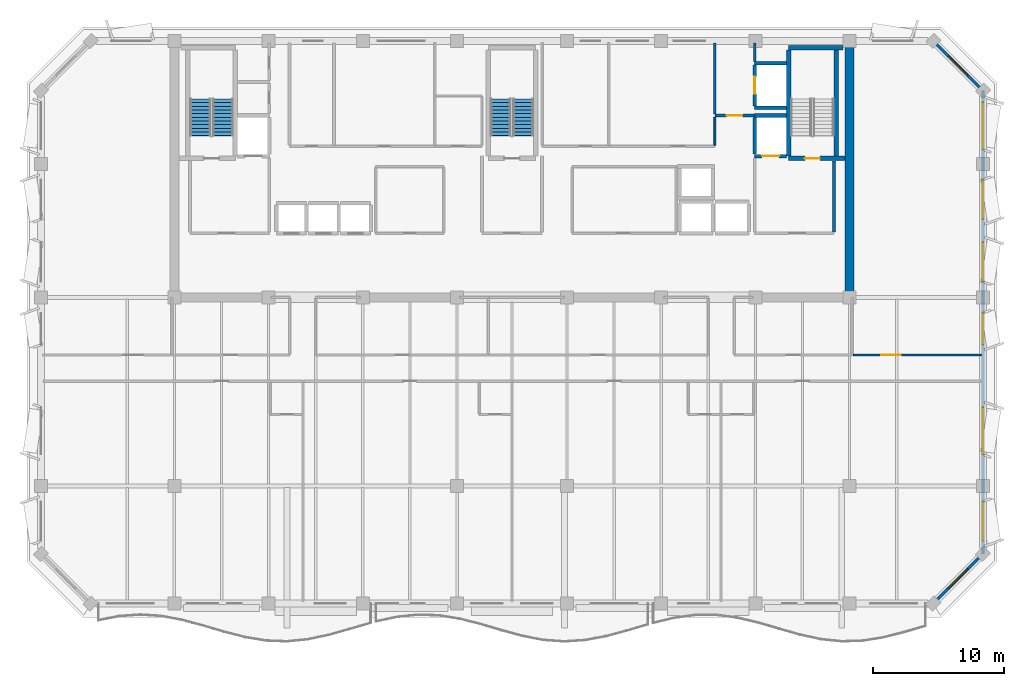
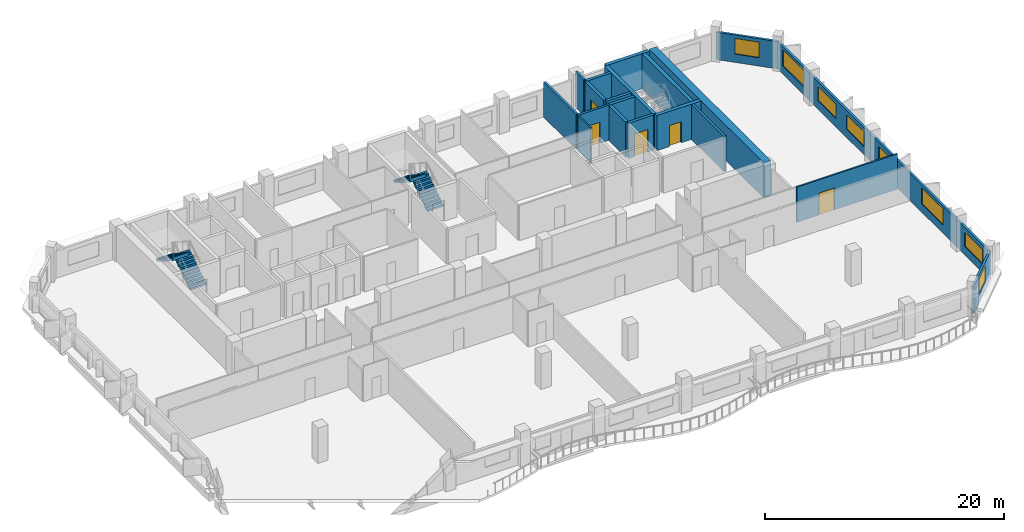
# One storey, part 7 of 11: 20 walls, 8 windows, 5 doors, 4 stair flights, 13 openings, 2 elements without a shape of their own.
"""IFC4 building model written with IfcOpenShell, lengths in metres."""

from ifc_helpers import new_model, si_unit, direction, frame, frame_2d, origin, place, context, subcontext, project, spatial, polyline, rectangle, outline, extrude, material, layer, layer_set, type_object, element, fill, aggregate, save


model = new_model("IFC4")

# Units and contexts
model_context = context("Model", 3, precision=1e-05, world=origin(), true_north=direction((0.0, 1.0)))
body_context = subcontext(model_context, "Body", "Model", "MODEL_VIEW")
ifc_project = project(units=[si_unit("LENGTHUNIT", "METRE"), si_unit("AREAUNIT", "SQUARE_METRE"), si_unit("VOLUMEUNIT", "CUBIC_METRE"), si_unit("PLANEANGLEUNIT", "RADIAN"), si_unit("MASSUNIT", "GRAM", prefix="KILO")], contexts=[model_context])

# Site, building, storey
site_placement = place(None, origin())
site = spatial("IfcSite", under=ifc_project, at=site_placement, CompositionType="ELEMENT")
building_placement = place(site_placement, origin())
building = spatial("IfcBuilding", under=site, at=building_placement, Name="Kaelvorn Grand Hotel", CompositionType="ELEMENT")
storey_placement = place(building_placement, frame((0.0, 0.0, 276.550048828125)))
storey = spatial("IfcBuildingStorey", under=building, at=storey_placement, Name="L68", CompositionType="ELEMENT", Elevation=276.550048828125)

# Wall
ifc_material_1 = material(Name="Concrete C50/60", Category="concrete")
ifc_layer_1 = layer(ifc_material_1, 0.699951171875)
ifc_layer_set_1 = layer_set([ifc_layer_1], Name="Concrete C50/60")
wall_type_1 = type_object("IfcWallType", Name="WL-CORE-700-C50", PredefinedType="SHEAR", material=ifc_layer_set_1)
wall_1_placement = place(storey_placement, frame((67.800048828125, 29.39990234375, 0.0), z_axis=(0.0, 0.0, 1.0), x_axis=(0.0, 1.0, 0.0)))
element("IfcWall", 1, at=wall_1_placement, inside=storey, type_object=wall_type_1, Name="L68 Rear-Core East Shear Wall", PredefinedType="SHEAR", context=body_context, shape_type="SweptSolid", body=[
    extrude(rectangle(XDim=19.2001953125, YDim=0.699951171875, at=frame_2d((9.60009765625, 0.0))), origin(), (0.0, 0.0, 1.0), 3.599853515625),
])

# Wall, opening, window
ifc_material_2 = material(Name="Concrete C40/50", Category="concrete")
ifc_layer_2 = layer(ifc_material_2, 0.219970703125)
ifc_layer_set_2 = layer_set([ifc_layer_2], Name="Concrete C40/50")
wall_type_2 = type_object("IfcWallType", Name="WL-EXT-220-C40", PredefinedType="SOLIDWALL", material=ifc_layer_set_2)
wall_2_placement = place(storey_placement, frame((74.199951171875, 6.0, 0.0), z_axis=(0.0, 0.0, 1.0), x_axis=(0.707106781187, 0.707106781187, 0.0)))
wall_2 = element("IfcWall", 2, at=wall_2_placement, inside=storey, type_object=wall_type_2, Name="L68 Exterior Architectural Concrete Wall 02", PredefinedType="SOLIDWALL", context=body_context, shape_type="SweptSolid", body=[
    extrude(rectangle(XDim=5.3740234375, YDim=0.219970703125, at=frame_2d((2.68701171875, 0.0))), origin(), (0.0, 0.0, 1.0), 2.800048828125),
])
opening_1_placement = place(wall_2_placement, frame((1.636962890625, 0.0, 0.85009765625)))
opening_1 = element("IfcOpeningElement", 3, at=opening_1_placement, cuts=wall_2, Name="Opening W7", PredefinedType="OPENING", context=body_context, shape_type="SweptSolid", body=[
    extrude(rectangle(XDim=2.10009765625, YDim=1.60009765625, at=frame_2d((1.050048828125, 0.800048828125))), frame((0.0, 0.1201171875, 0.0), z_axis=(0.0, -1.0, 0.0), x_axis=(1.0, 0.0, 0.0)), (0.0, 0.0, 1.0), 0.239990234375),
])
ifc_material_3 = material(Name="Laminated Low-E Glass", Category="glass")
window_type_1 = type_object("IfcWindowType", Name="WIN-CHM-2100x1600", PartitioningType="SINGLE_PANEL", PredefinedType="WINDOW", material=ifc_material_3)
window_1_placement = place(opening_1_placement, origin())
window_1 = element("IfcWindow", 4, at=window_1_placement, inside=storey, type_object=window_type_1, Name="L68 Chamfered 45-Degree Corner Window SE", OverallHeight=1.60009765625, OverallWidth=2.10009765625, PartitioningType="SINGLE_PANEL", PredefinedType="WINDOW", context=body_context, shape_type="SweptSolid", body=[
    extrude(rectangle(XDim=2.10009765625, YDim=1.60009765625, at=frame_2d((1.050048828125, 0.800048828125))), frame((0.0, 0.030029296875, 0.0), z_axis=(0.0, -1.0, 0.0), x_axis=(1.0, 0.0, 0.0)), (0.0, 0.0, 1.0), 0.06005859375),
])
fill(opening_1, window_1)

# Wall, openings, windows
wall_3_placement = place(storey_placement, frame((78.0, 9.800048828125, 0.0), z_axis=(0.0, 0.0, 1.0), x_axis=(0.0, 1.0, 0.0)))
wall_3 = element("IfcWall", 5, at=wall_3_placement, inside=storey, type_object=wall_type_2, Name="L68 Exterior Architectural Concrete Wall 03", PredefinedType="SOLIDWALL", context=body_context, shape_type="SweptSolid", body=[
    extrude(rectangle(XDim=35.39990234375, YDim=0.219970703125, at=frame_2d((17.699951171875, 0.0))), origin(), (0.0, 0.0, 1.0), 2.800048828125),
])
opening_2_placement = place(wall_3_placement, frame((0.985107421875, 0.0, 0.85009765625)))
opening_2 = element("IfcOpeningElement", 6, at=opening_2_placement, cuts=wall_3, Name="Opening W5", PredefinedType="OPENING", context=body_context, shape_type="SweptSolid", body=[
    extrude(rectangle(XDim=3.0, YDim=1.5, at=frame_2d((1.5, 0.75))), frame((0.0, 0.1201171875, 0.0), z_axis=(0.0, -1.0, 0.0), x_axis=(1.0, 0.0, 0.0)), (0.0, 0.0, 1.0), 0.239990234375),
])
opening_3_placement = place(wall_3_placement, frame((7.60009765625, 0.0, 0.85009765625)))
opening_3 = element("IfcOpeningElement", 7, at=opening_3_placement, cuts=wall_3, Name="Opening W3", PredefinedType="OPENING", context=body_context, shape_type="SweptSolid", body=[
    extrude(rectangle(XDim=3.60009765625, YDim=1.64990234375, at=frame_2d((1.800048828125, 0.824951171875))), frame((0.0, 0.1201171875, 0.0), z_axis=(0.0, -1.0, 0.0), x_axis=(1.0, 0.0, 0.0)), (0.0, 0.0, 1.0), 0.239990234375),
])
opening_4_placement = place(wall_3_placement, frame((16.0, 0.0, 0.85009765625)))
opening_4 = element("IfcOpeningElement", 8, at=opening_4_placement, cuts=wall_3, Name="Opening W6", PredefinedType="OPENING", context=body_context, shape_type="SweptSolid", body=[
    extrude(rectangle(XDim=2.39990234375, YDim=1.5, at=frame_2d((1.199951171875, 0.75))), frame((0.0, 0.1201171875, 0.0), z_axis=(0.0, -1.0, 0.0), x_axis=(1.0, 0.0, 0.0)), (0.0, 0.0, 1.0), 0.239990234375),
])
opening_5_placement = place(wall_3_placement, frame((20.81494140625, 0.0, 0.85009765625)))
opening_5 = element("IfcOpeningElement", 9, at=opening_5_placement, cuts=wall_3, Name="Opening W5", PredefinedType="OPENING", context=body_context, shape_type="SweptSolid", body=[
    extrude(rectangle(XDim=3.0, YDim=1.5, at=frame_2d((1.5, 0.75))), frame((0.0, 0.1201171875, 0.0), z_axis=(0.0, -1.0, 0.0), x_axis=(1.0, 0.0, 0.0)), (0.0, 0.0, 1.0), 0.239990234375),
])
opening_6_placement = place(wall_3_placement, frame((25.5849609375, 0.0, 0.85009765625)))
opening_6 = element("IfcOpeningElement", 10, at=opening_6_placement, cuts=wall_3, Name="Opening W5", PredefinedType="OPENING", context=body_context, shape_type="SweptSolid", body=[
    extrude(rectangle(XDim=3.0, YDim=1.5, at=frame_2d((1.5, 0.75))), frame((0.0, 0.1201171875, 0.0), z_axis=(0.0, -1.0, 0.0), x_axis=(1.0, 0.0, 0.0)), (0.0, 0.0, 1.0), 0.239990234375),
])
opening_7_placement = place(wall_3_placement, frame((30.9150390625, 0.0, 0.85009765625)))
opening_7 = element("IfcOpeningElement", 11, at=opening_7_placement, cuts=wall_3, Name="Opening W3", PredefinedType="OPENING", context=body_context, shape_type="SweptSolid", body=[
    extrude(rectangle(XDim=3.60009765625, YDim=1.64990234375, at=frame_2d((1.800048828125, 0.824951171875))), frame((0.0, 0.1201171875, 0.0), z_axis=(0.0, -1.0, 0.0), x_axis=(1.0, 0.0, 0.0)), (0.0, 0.0, 1.0), 0.239990234375),
])
window_type_2 = type_object("IfcWindowType", Name="WIN-NTH-2400x1500", PartitioningType="SINGLE_PANEL", PredefinedType="WINDOW", material=ifc_material_3)
window_2_placement = place(opening_4_placement, origin())
window_2 = element("IfcWindow", 12, at=window_2_placement, inside=storey, type_object=window_type_2, Name="L68 E Wing Tilted-Frame Ribbon Window E03", OverallHeight=1.5, OverallWidth=2.39990234375, PartitioningType="SINGLE_PANEL", PredefinedType="WINDOW", context=body_context, shape_type="SweptSolid", body=[
    extrude(rectangle(XDim=2.39990234375, YDim=1.5, at=frame_2d((1.199951171875, 0.75))), frame((0.0, 0.030029296875, 0.0), z_axis=(0.0, -1.0, 0.0), x_axis=(1.0, 0.0, 0.0)), (0.0, 0.0, 1.0), 0.06005859375),
])
fill(opening_4, window_2)
window_type_3 = type_object("IfcWindowType", Name="WIN-NTH-3000x1500", PartitioningType="SINGLE_PANEL", PredefinedType="WINDOW", material=ifc_material_3)
window_3_placement = place(opening_2_placement, origin())
window_3 = element("IfcWindow", 13, at=window_3_placement, inside=storey, type_object=window_type_3, Name="L68 E Wing Tilted-Frame Ribbon Window E01", OverallHeight=1.5, OverallWidth=3.0, PartitioningType="SINGLE_PANEL", PredefinedType="WINDOW", context=body_context, shape_type="SweptSolid", body=[
    extrude(rectangle(XDim=3.0, YDim=1.5, at=frame_2d((1.5, 0.75))), frame((0.0, 0.030029296875, 0.0), z_axis=(0.0, -1.0, 0.0), x_axis=(1.0, 0.0, 0.0)), (0.0, 0.0, 1.0), 0.06005859375),
])
fill(opening_2, window_3)
window_4_placement = place(opening_5_placement, origin())
window_4 = element("IfcWindow", 14, at=window_4_placement, inside=storey, type_object=window_type_3, Name="L68 E Wing Tilted-Frame Ribbon Window E04", OverallHeight=1.5, OverallWidth=3.0, PartitioningType="SINGLE_PANEL", PredefinedType="WINDOW", context=body_context, shape_type="SweptSolid", body=[
    extrude(rectangle(XDim=3.0, YDim=1.5, at=frame_2d((1.5, 0.75))), frame((0.0, 0.030029296875, 0.0), z_axis=(0.0, -1.0, 0.0), x_axis=(1.0, 0.0, 0.0)), (0.0, 0.0, 1.0), 0.06005859375),
])
fill(opening_5, window_4)
window_5_placement = place(opening_6_placement, origin())
window_5 = element("IfcWindow", 15, at=window_5_placement, inside=storey, type_object=window_type_3, Name="L68 E Wing Tilted-Frame Ribbon Window E05", OverallHeight=1.5, OverallWidth=3.0, PartitioningType="SINGLE_PANEL", PredefinedType="WINDOW", context=body_context, shape_type="SweptSolid", body=[
    extrude(rectangle(XDim=3.0, YDim=1.5, at=frame_2d((1.5, 0.75))), frame((0.0, 0.030029296875, 0.0), z_axis=(0.0, -1.0, 0.0), x_axis=(1.0, 0.0, 0.0)), (0.0, 0.0, 1.0), 0.06005859375),
])
fill(opening_6, window_5)
window_type_4 = type_object("IfcWindowType", Name="WIN-RIB-3600x1750", PartitioningType="SINGLE_PANEL", PredefinedType="WINDOW", material=ifc_material_3)
window_6_placement = place(opening_3_placement, origin())
window_6 = element("IfcWindow", 16, at=window_6_placement, inside=storey, type_object=window_type_4, Name="L68 E Wing Tilted-Frame Ribbon Window E02", OverallHeight=1.64990234375, OverallWidth=3.60009765625, PartitioningType="SINGLE_PANEL", PredefinedType="WINDOW", context=body_context, shape_type="SweptSolid", body=[
    extrude(rectangle(XDim=3.60009765625, YDim=1.64990234375, at=frame_2d((1.800048828125, 0.824951171875))), frame((0.0, 0.030029296875, 0.0), z_axis=(0.0, -1.0, 0.0), x_axis=(1.0, 0.0, 0.0)), (0.0, 0.0, 1.0), 0.06005859375),
])
fill(opening_3, window_6)
window_7_placement = place(opening_7_placement, origin())
window_7 = element("IfcWindow", 17, at=window_7_placement, inside=storey, type_object=window_type_4, Name="L68 E Wing Tilted-Frame Ribbon Window E06", OverallHeight=1.64990234375, OverallWidth=3.60009765625, PartitioningType="SINGLE_PANEL", PredefinedType="WINDOW", context=body_context, shape_type="SweptSolid", body=[
    extrude(rectangle(XDim=3.60009765625, YDim=1.64990234375, at=frame_2d((1.800048828125, 0.824951171875))), frame((0.0, 0.030029296875, 0.0), z_axis=(0.0, -1.0, 0.0), x_axis=(1.0, 0.0, 0.0)), (0.0, 0.0, 1.0), 0.06005859375),
])
fill(opening_7, window_7)

# Wall, opening, window
wall_4_placement = place(storey_placement, frame((78.0, 45.199951171875, 0.0), z_axis=(0.0, 0.0, 1.0), x_axis=(-0.707106781187, 0.707106781187, 0.0)))
wall_4 = element("IfcWall", 18, at=wall_4_placement, inside=storey, type_object=wall_type_2, Name="L68 Exterior Architectural Concrete Wall 04", PredefinedType="SOLIDWALL", context=body_context, shape_type="SweptSolid", body=[
    extrude(rectangle(XDim=5.3740234375, YDim=0.219970703125, at=frame_2d((2.68701171875, 0.0))), origin(), (0.0, 0.0, 1.0), 2.800048828125),
])
opening_8_placement = place(wall_4_placement, frame((1.636962890625, 0.0, 0.85009765625)))
opening_8 = element("IfcOpeningElement", 19, at=opening_8_placement, cuts=wall_4, Name="Opening W7", PredefinedType="OPENING", context=body_context, shape_type="SweptSolid", body=[
    extrude(rectangle(XDim=2.10009765625, YDim=1.60009765625, at=frame_2d((1.050048828125, 0.800048828125))), frame((0.0, 0.1201171875, 0.0), z_axis=(0.0, -1.0, 0.0), x_axis=(1.0, 0.0, 0.0)), (0.0, 0.0, 1.0), 0.239990234375),
])
window_8_placement = place(opening_8_placement, origin())
window_8 = element("IfcWindow", 20, at=window_8_placement, inside=storey, type_object=window_type_1, Name="L68 Chamfered 45-Degree Corner Window NE", OverallHeight=1.60009765625, OverallWidth=2.10009765625, PartitioningType="SINGLE_PANEL", PredefinedType="WINDOW", context=body_context, shape_type="SweptSolid", body=[
    extrude(rectangle(XDim=2.10009765625, YDim=1.60009765625, at=frame_2d((1.050048828125, 0.800048828125))), frame((0.0, 0.030029296875, 0.0), z_axis=(0.0, -1.0, 0.0), x_axis=(1.0, 0.0, 0.0)), (0.0, 0.0, 1.0), 0.06005859375),
])
fill(opening_8, window_8)

# Wall
ifc_material_4 = material(Name="Acoustic Gypsum & Stud Partition")
ifc_layer_3 = layer(ifc_material_4, 0.14990234375)
ifc_layer_set_3 = layer_set([ifc_layer_3], Name="Acoustic Gypsum & Stud Partition")
wall_type_3 = type_object("IfcWallType", Name="WL-PART-150-EI60", PredefinedType="PARTITIONING", material=ifc_layer_set_3)
wall_5_placement = place(storey_placement, frame((57.5, 41.030029296875, 0.0), z_axis=(0.0, 0.0, 1.0), x_axis=(0.0, 1.0, 0.0)))
element("IfcWall", 21, at=wall_5_placement, inside=storey, type_object=wall_type_3, Name="L68 Butler Servery Pantry E Partition", PredefinedType="PARTITIONING", context=body_context, shape_type="SweptSolid", body=[
    extrude(rectangle(XDim=2.155029296875, YDim=0.14990234375, at=frame_2d((1.07763671875, 0.0))), origin(), (0.0, 0.0, 1.0), 3.599853515625),
])

# Wall, opening, door
wall_6_placement = place(storey_placement, frame((68.080078125, 25.0, 0.0), z_axis=(0.0, 0.0, 1.0), x_axis=(1.0, 0.0, 0.0)))
wall_6 = element("IfcWall", 22, at=wall_6_placement, inside=storey, type_object=wall_type_3, Name="L68 East Sky Wellness Spa Salon S Partition", PredefinedType="PARTITIONING", context=body_context, shape_type="SweptSolid", body=[
    extrude(rectangle(XDim=9.77001953125, YDim=0.14990234375, at=frame_2d((4.885009765625, 0.0))), origin(), (0.0, 0.0, 1.0), 3.599853515625),
])
opening_9_placement = place(wall_6_placement, frame((2.139892578125, 0.0, 0.0)))
opening_9 = element("IfcOpeningElement", 23, at=opening_9_placement, cuts=wall_6, Name="Opening DI5", PredefinedType="OPENING", context=body_context, shape_type="SweptSolid", body=[
    extrude(rectangle(XDim=1.5, YDim=2.25, at=frame_2d((0.75, 1.125))), frame((0.0, 0.0849609375, 0.0), z_axis=(0.0, -1.0, 0.0), x_axis=(1.0, 0.0, 0.0)), (0.0, 0.0, 1.0), 0.169921875),
])
ifc_material_5 = material(Name="Timber Veneer Fire Leaf", Category="wood")
door_type_1 = type_object("IfcDoorType", Name="DR-INT-SALON-1500x2250", OperationType="DOUBLE_DOOR_SINGLE_SWING", PredefinedType="DOOR", material=ifc_material_5)
door_1_placement = place(opening_9_placement, origin())
door_1 = element("IfcDoor", 24, at=door_1_placement, inside=storey, type_object=door_type_1, Name="L68 East Sky Wellness Spa Salon Door", OperationType="DOUBLE_DOOR_SINGLE_SWING", OverallHeight=2.25, OverallWidth=1.5, PredefinedType="DOOR", context=body_context, shape_type="SweptSolid", body=[
    extrude(rectangle(XDim=1.5, YDim=2.25, at=frame_2d((0.75, 1.125))), frame((0.0, 0.02490234375, 0.0), z_axis=(0.0, -1.0, 0.0), x_axis=(1.0, 0.0, 0.0)), (0.0, 0.0, 1.0), 0.050048828125),
])
fill(opening_9, door_1)

# Wall
ifc_layer_4 = layer(ifc_material_2, 0.219970703125)
ifc_layer_set_4 = layer_set([ifc_layer_4], Name="Concrete C40/50")
wall_type_4 = type_object("IfcWallType", Name="WL-PART-220-EI120", PredefinedType="PARTITIONING", material=ifc_layer_set_4)
wall_7_placement = place(storey_placement, frame((66.60009765625, 34.4150390625, 0.0), z_axis=(0.0, 0.0, 1.0), x_axis=(0.0, 1.0, 0.0)))
element("IfcWall", 25, at=wall_7_placement, inside=storey, type_object=wall_type_4, Name="L68 Firefighting Lift Lobby 2 E Partition", PredefinedType="PARTITIONING", context=body_context, shape_type="SweptSolid", body=[
    extrude(rectangle(XDim=5.429931640625, YDim=0.219970703125, at=frame_2d((2.71484375, 0.0))), origin(), (0.0, 0.0, 1.0), 3.599853515625),
])

# Wall, opening, door
wall_8_placement = place(storey_placement, frame((57.5, 43.300048828125, 0.0), z_axis=(0.0, 0.0, 1.0), x_axis=(1.0, 0.0, 0.0)))
wall_8 = element("IfcWall", 26, at=wall_8_placement, inside=storey, type_object=wall_type_4, Name="L68 Service Lift Lobby S Partition", PredefinedType="PARTITIONING", context=body_context, shape_type="SweptSolid", body=[
    extrude(rectangle(XDim=3.0400390625, YDim=0.219970703125, at=frame_2d((1.52001953125, 0.0))), origin(), (0.0, 0.0, 1.0), 3.599853515625),
])
opening_10_placement = place(wall_8_placement, frame((0.89990234375, 0.0, 0.0)))
opening_10 = element("IfcOpeningElement", 27, at=opening_10_placement, cuts=wall_8, Name="Opening DI2", PredefinedType="OPENING", context=body_context, shape_type="SweptSolid", body=[
    extrude(rectangle(XDim=1.199951171875, YDim=2.14990234375, at=frame_2d((0.60009765625, 1.074951171875))), frame((0.0, 0.1201171875, 0.0), z_axis=(0.0, -1.0, 0.0), x_axis=(1.0, 0.0, 0.0)), (0.0, 0.0, 1.0), 0.239990234375),
])
door_type_2 = type_object("IfcDoorType", Name="DR-INT-FFLOB-1200x2150", OperationType="NOTDEFINED", PredefinedType="DOOR", material=ifc_material_5)
door_2_placement = place(opening_10_placement, origin())
door_2 = element("IfcDoor", 28, at=door_2_placement, inside=storey, type_object=door_type_2, Name="L68 Service Lift Lobby Door", OperationType="SINGLE_SWING_RIGHT", OverallHeight=2.14990234375, OverallWidth=1.199951171875, PredefinedType="DOOR", context=body_context, shape_type="SweptSolid", body=[
    extrude(rectangle(XDim=1.199951171875, YDim=2.14990234375, at=frame_2d((0.60009765625, 1.074951171875))), frame((0.0, 0.02490234375, 0.0), z_axis=(0.0, -1.0, 0.0), x_axis=(1.0, 0.0, 0.0)), (0.0, 0.0, 1.0), 0.050048828125),
])
fill(opening_10, door_2)

# Walls
wall_9_placement = place(storey_placement, frame((57.5, 43.4150390625, 0.0), z_axis=(0.0, 0.0, 1.0), x_axis=(0.0, 1.0, 0.0)))
element("IfcWall", 29, at=wall_9_placement, inside=storey, type_object=wall_type_4, Name="L68 Service Lift Lobby W Partition", PredefinedType="PARTITIONING", context=body_context, shape_type="SweptSolid", body=[
    extrude(rectangle(XDim=5.43505859375, YDim=0.219970703125, at=frame_2d((2.717529296875, 0.0))), origin(), (0.0, 0.0, 1.0), 3.599853515625),
])
wall_10_placement = place(storey_placement, frame((60.550048828125, 47.445068359375, 0.0), z_axis=(0.0, 0.0, 1.0), x_axis=(0.0, 1.0, 0.0)))
element("IfcWall", 30, at=wall_10_placement, inside=storey, type_object=wall_type_4, Name="L68 Service Lift Lobby E Partition", PredefinedType="PARTITIONING", context=body_context, shape_type="SweptSolid", body=[
    extrude(rectangle(XDim=1.405029296875, YDim=0.219970703125, at=frame_2d((0.70263671875, 0.0))), origin(), (0.0, 0.0, 1.0), 3.599853515625),
])

# Wall, opening, door
ifc_layer_5 = layer(ifc_material_1, 0.280029296875)
ifc_layer_set_5 = layer_set([ifc_layer_5], Name="Concrete C50/60")
wall_type_5 = type_object("IfcWallType", Name="WL-SHAFT-280-C50", PredefinedType="SHEAR", material=ifc_layer_set_5)
wall_11_placement = place(storey_placement, frame((60.550048828125, 40.199951171875, 0.0), z_axis=(0.0, 0.0, 1.0), x_axis=(1.0, 0.0, 0.0)))
wall_11 = element("IfcWall", 31, at=wall_11_placement, inside=storey, type_object=wall_type_5, Name="L68 Lift FFL2 Shaft South Wall", PredefinedType="SHEAR", context=body_context, shape_type="SweptSolid", body=[
    extrude(rectangle(XDim=2.4150390625, YDim=0.280029296875, at=frame_2d((1.20751953125, 0.0))), origin(), (0.0, 0.0, 1.0), 3.599853515625),
])
opening_11_placement = place(wall_11_placement, frame((0.574951171875, 0.0, 0.0)))
opening_11 = element("IfcOpeningElement", 32, at=opening_11_placement, cuts=wall_11, Name="Opening LD-FFL2", PredefinedType="OPENING", context=body_context, shape_type="SweptSolid", body=[
    extrude(rectangle(XDim=1.300048828125, YDim=2.300048828125, at=frame_2d((0.64990234375, 1.14990234375))), frame((0.0, 0.14990234375, 0.0), z_axis=(0.0, -1.0, 0.0), x_axis=(1.0, 0.0, 0.0)), (0.0, 0.0, 1.0), 0.300048828125),
])
ifc_material_6 = material(Name="Stainless Steel", Category="steel")
door_type_3 = type_object("IfcDoorType", Name="DR-LIFT-SERV-1300x2300", OperationType="DOUBLE_DOOR_SLIDING", PredefinedType="DOOR", material=ifc_material_6)
door_3_placement = place(opening_11_placement, origin())
door_3 = element("IfcDoor", 33, at=door_3_placement, inside=storey, type_object=door_type_3, Name="L68 Lift FFL2 Sliding Landing Door LD-FFL2", OperationType="DOUBLE_DOOR_SLIDING", OverallHeight=2.300048828125, OverallWidth=1.300048828125, PredefinedType="DOOR", context=body_context, shape_type="SweptSolid", body=[
    extrude(rectangle(XDim=1.300048828125, YDim=2.300048828125, at=frame_2d((0.64990234375, 1.14990234375))), frame((0.0, 0.02490234375, 0.0), z_axis=(0.0, -1.0, 0.0), x_axis=(1.0, 0.0, 0.0)), (0.0, 0.0, 1.0), 0.050048828125),
])
fill(opening_11, door_3)

# Walls
wall_12_placement = place(storey_placement, frame((60.550048828125, 43.300048828125, 0.0), z_axis=(0.0, 0.0, 1.0), x_axis=(1.0, 0.0, 0.0)))
element("IfcWall", 34, at=wall_12_placement, inside=storey, type_object=wall_type_5, Name="L68 Lift FFL2 Shaft North Wall", PredefinedType="SHEAR", context=body_context, shape_type="SweptSolid", body=[
    extrude(rectangle(XDim=2.4150390625, YDim=0.280029296875, at=frame_2d((1.20751953125, 0.0))), origin(), (0.0, 0.0, 1.0), 3.599853515625),
])
wall_13_placement = place(storey_placement, frame((60.550048828125, 40.344970703125, 0.0), z_axis=(0.0, 0.0, 1.0), x_axis=(0.0, 1.0, 0.0)))
element("IfcWall", 35, at=wall_13_placement, inside=storey, type_object=wall_type_5, Name="L68 Lift FFL2 Shaft West Wall", PredefinedType="SHEAR", context=body_context, shape_type="SweptSolid", body=[
    extrude(rectangle(XDim=2.81005859375, YDim=0.280029296875, at=frame_2d((1.405029296875, 0.0))), origin(), (0.0, 0.0, 1.0), 3.599853515625),
])
for number, where, z_axis, x_axis, name in (
    (36, (60.550048828125, 43.89990234375, 0.0), (0.0, 0.0, 1.0), (1.0, 0.0, 0.0), "L68 Lift SV1 Shaft South Wall"),
    (37, (60.550048828125, 47.300048828125, 0.0), (0.0, 0.0, 1.0), (1.0, 0.0, 0.0), "L68 Lift SV1 Shaft North Wall"),
):
    element("IfcWall", number, at=place(storey_placement, frame(where, z_axis=z_axis, x_axis=x_axis)), inside=storey, type_object=wall_type_5, Name=name, PredefinedType="SHEAR", context=body_context, shape_type="SweptSolid", body=[
        extrude(rectangle(XDim=2.4150390625, YDim=0.280029296875, at=frame_2d((1.20751953125, 0.0))), origin(), (0.0, 0.0, 1.0), 3.599853515625),
    ])

# Wall, opening, door
wall_14_placement = place(storey_placement, frame((60.550048828125, 44.044921875, 0.0), z_axis=(0.0, 0.0, 1.0), x_axis=(0.0, 1.0, 0.0)))
wall_14 = element("IfcWall", 38, at=wall_14_placement, inside=storey, type_object=wall_type_5, Name="L68 Lift SV1 Shaft West Wall", PredefinedType="SHEAR", context=body_context, shape_type="SweptSolid", body=[
    extrude(rectangle(XDim=3.110107421875, YDim=0.280029296875, at=frame_2d((1.55517578125, 0.0))), origin(), (0.0, 0.0, 1.0), 3.599853515625),
])
opening_12_placement = place(wall_14_placement, frame((0.905029296875, 0.0, 0.0)))
opening_12 = element("IfcOpeningElement", 39, at=opening_12_placement, cuts=wall_14, Name="Opening LD-SV1", PredefinedType="OPENING", context=body_context, shape_type="SweptSolid", body=[
    extrude(rectangle(XDim=1.300048828125, YDim=2.300048828125, at=frame_2d((0.64990234375, 1.14990234375))), frame((0.0, 0.14990234375, 0.0), z_axis=(0.0, -1.0, 0.0), x_axis=(1.0, 0.0, 0.0)), (0.0, 0.0, 1.0), 0.300048828125),
])
door_4_placement = place(opening_12_placement, origin())
door_4 = element("IfcDoor", 40, at=door_4_placement, inside=storey, type_object=door_type_3, Name="L68 Lift SV1 Sliding Landing Door LD-SV1", OperationType="DOUBLE_DOOR_SLIDING", OverallHeight=2.300048828125, OverallWidth=1.300048828125, PredefinedType="DOOR", context=body_context, shape_type="SweptSolid", body=[
    extrude(rectangle(XDim=1.300048828125, YDim=2.300048828125, at=frame_2d((0.64990234375, 1.14990234375))), frame((0.0, 0.02490234375, 0.0), z_axis=(0.0, -1.0, 0.0), x_axis=(1.0, 0.0, 0.0)), (0.0, 0.0, 1.0), 0.050048828125),
])
fill(opening_12, door_4)

ifc_material_7 = material(Name="Concrete C60/75", Category="concrete")
ifc_layer_6 = layer(ifc_material_7, 0.35009765625)
ifc_layer_set_6 = layer_set([ifc_layer_6], Name="Concrete C60/75")
wall_type_6 = type_object("IfcWallType", Name="WL-SHAFT-350-C60", PredefinedType="SHEAR", material=ifc_layer_set_6)
wall_15_placement = place(storey_placement, frame((63.14501953125, 40.02490234375, 0.0), z_axis=(0.0, 0.0, 1.0), x_axis=(1.0, 0.0, 0.0)))
wall_15 = element("IfcWall", 41, at=wall_15_placement, inside=storey, type_object=wall_type_6, Name="L68 ST3 Stair Shaft South Wall", PredefinedType="SHEAR", context=body_context, shape_type="SweptSolid", body=[
    extrude(rectangle(XDim=4.300048828125, YDim=0.35009765625, at=frame_2d((2.14990234375, 0.0))), origin(), (0.0, 0.0, 1.0), 3.599853515625),
])
opening_13_placement = place(wall_15_placement, frame((1.239990234375, 0.0, 0.0)))
opening_13 = element("IfcOpeningElement", 42, at=opening_13_placement, cuts=wall_15, Name="Opening DI1", PredefinedType="OPENING", context=body_context, shape_type="SweptSolid", body=[
    extrude(rectangle(XDim=1.14990234375, YDim=2.14990234375, at=frame_2d((0.574951171875, 1.074951171875))), frame((0.0, 0.18505859375, 0.0), z_axis=(0.0, -1.0, 0.0), x_axis=(1.0, 0.0, 0.0)), (0.0, 0.0, 1.0), 0.3701171875),
])
door_type_4 = type_object("IfcDoorType", Name="DR-INT-STAIR-1150x2150", OperationType="NOTDEFINED", PredefinedType="DOOR", material=ifc_material_5)
door_5_placement = place(opening_13_placement, origin())
door_5 = element("IfcDoor", 43, at=door_5_placement, inside=storey, type_object=door_type_4, Name="L68 ST3 Exit Stair Fire Door", OperationType="SINGLE_SWING_RIGHT", OverallHeight=2.14990234375, OverallWidth=1.14990234375, PredefinedType="DOOR", context=body_context, shape_type="SweptSolid", body=[
    extrude(rectangle(XDim=1.14990234375, YDim=2.14990234375, at=frame_2d((0.574951171875, 1.074951171875))), frame((0.0, 0.02490234375, 0.0), z_axis=(0.0, -1.0, 0.0), x_axis=(1.0, 0.0, 0.0)), (0.0, 0.0, 1.0), 0.050048828125),
])
fill(opening_13, door_5)

# Walls
wall_16_placement = place(storey_placement, frame((63.14501953125, 48.47509765625, 0.0), z_axis=(0.0, 0.0, 1.0), x_axis=(1.0, 0.0, 0.0)))
element("IfcWall", 44, at=wall_16_placement, inside=storey, type_object=wall_type_6, Name="L68 ST3 Stair Shaft North Wall", PredefinedType="SHEAR", context=body_context, shape_type="SweptSolid", body=[
    extrude(rectangle(XDim=4.14990234375, YDim=0.35009765625, at=frame_2d((2.074951171875, 0.0))), origin(), (0.0, 0.0, 1.0), 3.599853515625),
])
for number, where, z_axis, x_axis, name in (
    (45, (63.14501953125, 40.205078125, 0.0), (0.0, 0.0, 1.0), (0.0, 1.0, 0.0), "L68 ST3 Stair Shaft West Wall"),
    (46, (66.77490234375, 40.205078125, 0.0), (0.0, 0.0, 1.0), (0.0, 1.0, 0.0), "L68 ST3 Stair Shaft East Wall"),
):
    element("IfcWall", number, at=place(storey_placement, frame(where, z_axis=z_axis, x_axis=x_axis)), inside=storey, type_object=wall_type_6, Name=name, PredefinedType="SHEAR", context=body_context, shape_type="SweptSolid", body=[
        extrude(rectangle(XDim=8.08984375, YDim=0.35009765625, at=frame_2d((4.044921875, 0.0))), origin(), (0.0, 0.0, 1.0), 3.599853515625),
    ])

# Stair, stair flights
stair_type = type_object("IfcStairType", Name="STR-DOG-1560-R09", PredefinedType="HALF_TURN_STAIR", material=ifc_material_2)
stair_1_placement = place(storey_placement, origin())
stair_1 = element("IfcStair", 47, at=stair_1_placement, inside=storey, type_object=stair_type, Name="L68 West Core Exit Stair ST1", PredefinedType="HALF_TURN_STAIR")
stair_flight_type = type_object("IfcStairFlightType", Name="FLG-DOG-1560-R09", PredefinedType="STRAIGHT", material=ifc_material_2)
stair_flight_1_placement = place(storey_placement, frame((19.89990234375, 41.760009765625, 0.0), z_axis=(0.0, 0.0, 1.0), x_axis=(0.0, 1.0, 0.0)))
stair_flight_1 = element("IfcStairFlight", 48, at=stair_flight_1_placement, type_object=stair_flight_type, Name="ST1 flight 1", NumberOfRisers=11, NumberOfTreads=10, PredefinedType="STRAIGHT", RiserHeight=0.179545455, TreadLength=0.28, context=body_context, shape_type="SweptSolid", body=[
    extrude(outline(polyline([(-0.0048828125, 0.0), (-0.0048828125, 0.0400390625), (0.0, 0.179443359375), (0.280029296875, 0.179443359375), (0.280029296875, 0.359130859375), (0.56005859375, 0.359130859375), (0.56005859375, 0.53857421875), (0.840087890625, 0.53857421875), (0.840087890625, 0.71826171875), (1.1201171875, 0.71826171875), (1.1201171875, 0.897705078125), (1.39990234375, 0.897705078125), (1.39990234375, 1.077392578125), (1.679931640625, 1.077392578125), (1.679931640625, 1.2568359375), (1.9599609375, 1.2568359375), (1.9599609375, 1.436279296875), (2.239990234375, 1.436279296875), (2.239990234375, 1.615966796875), (2.52001953125, 1.615966796875), (2.52001953125, 1.79541015625), (2.800048828125, 1.79541015625), (2.800048828125, 1.97509765625), (2.804931640625, 1.97509765625), (2.804931640625, 1.617431640625), (0.277587890625, 0.0), (-0.0048828125, 0.0)])), frame((0.0, 0.780029296875, 0.0), z_axis=(0.0, -1.0, 0.0), x_axis=(1.0, 0.0, 0.0)), (0.0, 0.0, 1.0), 1.56005859375),
])
stair_flight_2_placement = place(storey_placement, frame((18.179931640625, 44.56005859375, 1.974853515625), z_axis=(0.0, 0.0, 1.0), x_axis=(0.0, -1.0, 0.0)))
stair_flight_2 = element("IfcStairFlight", 49, at=stair_flight_2_placement, type_object=stair_flight_type, Name="ST1 flight 2", NumberOfRisers=11, NumberOfTreads=10, PredefinedType="STRAIGHT", RiserHeight=0.179545455, TreadLength=0.28, context=body_context, shape_type="SweptSolid", body=[
    extrude(outline(polyline([(-0.0048828125, 0.0), (-0.0048828125, 0.0400390625), (0.0, 0.179443359375), (0.280029296875, 0.179443359375), (0.280029296875, 0.359130859375), (0.56005859375, 0.359130859375), (0.56005859375, 0.53857421875), (0.840087890625, 0.53857421875), (0.840087890625, 0.71826171875), (1.1201171875, 0.71826171875), (1.1201171875, 0.897705078125), (1.39990234375, 0.897705078125), (1.39990234375, 1.077392578125), (1.679931640625, 1.077392578125), (1.679931640625, 1.2568359375), (1.9599609375, 1.2568359375), (1.9599609375, 1.436279296875), (2.239990234375, 1.436279296875), (2.239990234375, 1.615966796875), (2.52001953125, 1.615966796875), (2.52001953125, 1.79541015625), (2.800048828125, 1.79541015625), (2.800048828125, 1.97509765625), (2.804931640625, 1.97509765625), (2.804931640625, 1.617431640625), (0.277587890625, 0.0), (-0.0048828125, 0.0)])), frame((0.0, 0.780029296875, 0.0), z_axis=(0.0, -1.0, 0.0), x_axis=(1.0, 0.0, 0.0)), (0.0, 0.0, 1.0), 1.56005859375),
])
aggregate(stair_1, [stair_flight_1, stair_flight_2])

stair_2_placement = place(storey_placement, origin())
stair_2 = element("IfcStair", 50, at=stair_2_placement, inside=storey, type_object=stair_type, Name="L68 Central Core Exit Stair ST2", PredefinedType="HALF_TURN_STAIR")
stair_flight_3_placement = place(storey_placement, frame((42.860107421875, 41.760009765625, 0.0), z_axis=(0.0, 0.0, 1.0), x_axis=(0.0, 1.0, 0.0)))
stair_flight_3 = element("IfcStairFlight", 51, at=stair_flight_3_placement, type_object=stair_flight_type, Name="ST2 flight 1", NumberOfRisers=11, NumberOfTreads=10, PredefinedType="STRAIGHT", RiserHeight=0.179545455, TreadLength=0.28, context=body_context, shape_type="SweptSolid", body=[
    extrude(outline(polyline([(-0.0048828125, 0.0), (-0.0048828125, 0.0400390625), (0.0, 0.179443359375), (0.280029296875, 0.179443359375), (0.280029296875, 0.359130859375), (0.56005859375, 0.359130859375), (0.56005859375, 0.53857421875), (0.840087890625, 0.53857421875), (0.840087890625, 0.71826171875), (1.1201171875, 0.71826171875), (1.1201171875, 0.897705078125), (1.39990234375, 0.897705078125), (1.39990234375, 1.077392578125), (1.679931640625, 1.077392578125), (1.679931640625, 1.2568359375), (1.9599609375, 1.2568359375), (1.9599609375, 1.436279296875), (2.239990234375, 1.436279296875), (2.239990234375, 1.615966796875), (2.52001953125, 1.615966796875), (2.52001953125, 1.79541015625), (2.800048828125, 1.79541015625), (2.800048828125, 1.97509765625), (2.804931640625, 1.97509765625), (2.804931640625, 1.617431640625), (0.277587890625, 0.0), (-0.0048828125, 0.0)])), frame((0.0, 0.780029296875, 0.0), z_axis=(0.0, -1.0, 0.0), x_axis=(1.0, 0.0, 0.0)), (0.0, 0.0, 1.0), 1.56005859375),
])
stair_flight_4_placement = place(storey_placement, frame((41.139892578125, 44.56005859375, 1.974853515625), z_axis=(0.0, 0.0, 1.0), x_axis=(0.0, -1.0, 0.0)))
stair_flight_4 = element("IfcStairFlight", 52, at=stair_flight_4_placement, type_object=stair_flight_type, Name="ST2 flight 2", NumberOfRisers=11, NumberOfTreads=10, PredefinedType="STRAIGHT", RiserHeight=0.179545455, TreadLength=0.28, context=body_context, shape_type="SweptSolid", body=[
    extrude(outline(polyline([(-0.0048828125, 0.0), (-0.0048828125, 0.0400390625), (0.0, 0.179443359375), (0.280029296875, 0.179443359375), (0.280029296875, 0.359130859375), (0.56005859375, 0.359130859375), (0.56005859375, 0.53857421875), (0.840087890625, 0.53857421875), (0.840087890625, 0.71826171875), (1.1201171875, 0.71826171875), (1.1201171875, 0.897705078125), (1.39990234375, 0.897705078125), (1.39990234375, 1.077392578125), (1.679931640625, 1.077392578125), (1.679931640625, 1.2568359375), (1.9599609375, 1.2568359375), (1.9599609375, 1.436279296875), (2.239990234375, 1.436279296875), (2.239990234375, 1.615966796875), (2.52001953125, 1.615966796875), (2.52001953125, 1.79541015625), (2.800048828125, 1.79541015625), (2.800048828125, 1.97509765625), (2.804931640625, 1.97509765625), (2.804931640625, 1.617431640625), (0.277587890625, 0.0), (-0.0048828125, 0.0)])), frame((0.0, 0.780029296875, 0.0), z_axis=(0.0, -1.0, 0.0), x_axis=(1.0, 0.0, 0.0)), (0.0, 0.0, 1.0), 1.56005859375),
])
aggregate(stair_2, [stair_flight_3, stair_flight_4])

save(model, "model.ifc")
